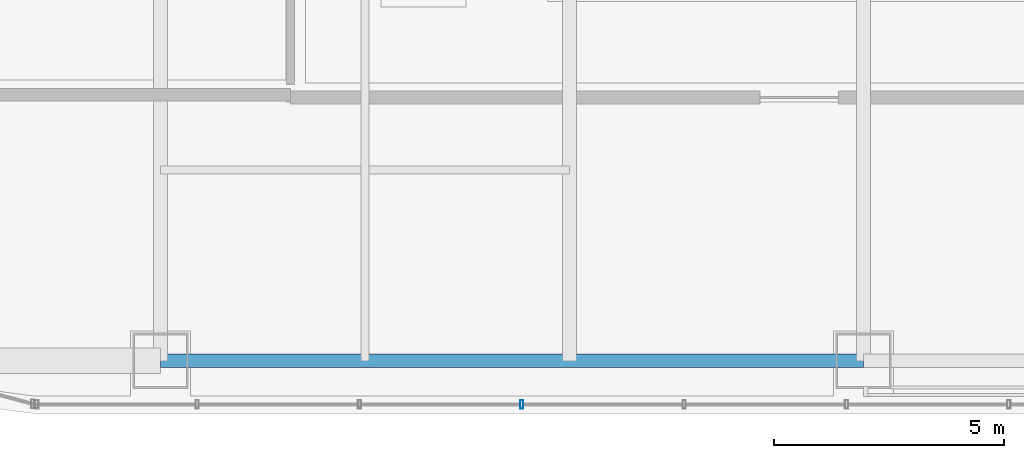
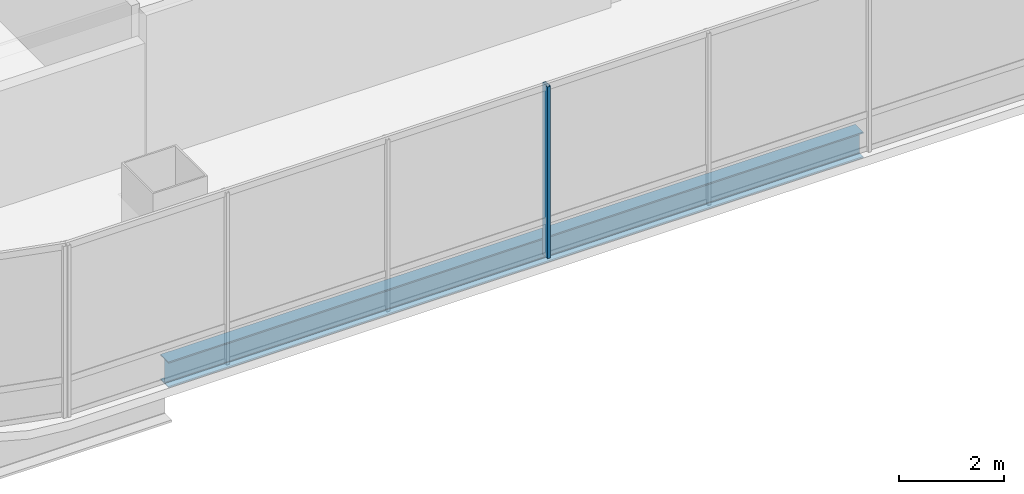
# One storey, part 3 of 42: 1 beam, 1 member, 1 element without a shape of its own.
"""IFC4 building model written with IfcOpenShell, lengths in metres."""

from ifc_helpers import new_model, si_unit, direction, frame, origin, origin_2d, place, context, subcontext, project, spatial, hollow_rectangle, i_section, extrude, material, material_profile, profile_set, type_object, element, aggregate, save


model = new_model("IFC4")

# Units and contexts
model_context = context("Model", 3, precision=1e-05, world=origin(), true_north=direction((0.0, 1.0)))
body_context = subcontext(model_context, "Body", "Model", "MODEL_VIEW")
ifc_project = project(units=[si_unit("LENGTHUNIT", "METRE"), si_unit("AREAUNIT", "SQUARE_METRE"), si_unit("VOLUMEUNIT", "CUBIC_METRE"), si_unit("PLANEANGLEUNIT", "RADIAN"), si_unit("MASSUNIT", "GRAM", prefix="KILO")], contexts=[model_context])

# Site, building, storey
site_placement = place(None, origin())
site = spatial("IfcSite", under=ifc_project, at=site_placement, CompositionType="ELEMENT")
building_placement = place(site_placement, origin())
building = spatial("IfcBuilding", under=site, at=building_placement, Name="Punatoya Terracotta Tower", CompositionType="ELEMENT")
storey_placement = place(building_placement, frame((0.0, 0.0, 304.800048828125)))
storey = spatial("IfcBuildingStorey", under=building, at=storey_placement, Name="L72", CompositionType="ELEMENT", Elevation=304.800048828125)

# Beam
ifc_material_1 = material(Name="Steel S355", Category="steel")
ifc_material_profile_1 = material_profile(ifc_material_1, i_section(OverallWidth=0.300048828125, OverallDepth=0.60009765625, WebThickness=0.015380859375, FlangeThickness=0.030029296875, FilletRadius=0.01806640625, at=origin_2d()))
ifc_profile_set_1 = profile_set([ifc_material_profile_1], Name="Steel S355")
beam_type = type_object("IfcBeamType", Name="BM-PRI-600", PredefinedType="BEAM", material=ifc_profile_set_1)
beam_placement = place(storey_placement, frame((-19.10009765625, -17.5, -0.5), z_axis=(1.0, 0.0, 0.0), x_axis=(0.0, 1.0, 0.0)))
element("IfcBeam", 1, at=beam_placement, inside=storey, type_object=beam_type, Name="BM-L72-RG-S1", PredefinedType="BEAM", context=body_context, shape_type="SweptSolid", body=[
    extrude(i_section(OverallWidth=0.300048828125, OverallDepth=0.60009765625, WebThickness=0.015380859375, FlangeThickness=0.030029296875, FilletRadius=0.01806640625, at=origin_2d()), origin(), (0.0, 0.0, 1.0), 15.300048828125),
])

# Curtain wall, member
ifc_material_2 = material(Name="Aluminium 6063-T6 + Double Low-E Glass", Category="aluminium")
curtain_wall_type = type_object("IfcCurtainWallType", Name="CW-M3", PredefinedType="NOTDEFINED", material=ifc_material_2)
curtain_wall_placement = place(storey_placement, origin())
curtain_wall = element("IfcCurtainWall", 2, at=curtain_wall_placement, inside=storey, type_object=curtain_wall_type, Name="L72 Curtain Wall CW-L72-S01-1", PredefinedType="NOTDEFINED")
ifc_material_3 = material(Name="Aluminium 6063-T6", Category="aluminium")
ifc_material_profile_2 = material_profile(ifc_material_3, hollow_rectangle(XDim=0.070068359375, YDim=0.179931640625, WallThickness=0.00390625, at=origin_2d()))
ifc_profile_set_2 = profile_set([ifc_material_profile_2], Name="Aluminium 6063-T6")
member_type = type_object("IfcMemberType", Name="CW-MUL-M3", PredefinedType="MULLION", material=ifc_profile_set_2)
member_placement = place(storey_placement, frame((-11.235107421875, -18.449951171875, 0.0), z_axis=(0.0, 0.0, 1.0), x_axis=(1.0, 0.0, 0.0)))
member = element("IfcMember", 3, at=member_placement, type_object=member_type, Name="CW-L72-S01-1 Mullion 03", PredefinedType="MULLION", context=body_context, shape_type="SweptSolid", body=[
    extrude(hollow_rectangle(XDim=0.070068359375, YDim=0.179931640625, WallThickness=0.00390625, at=origin_2d()), origin(), (0.0, 0.0, 1.0), 4.0),
])
aggregate(curtain_wall, [member])

save(model, "model.ifc")
